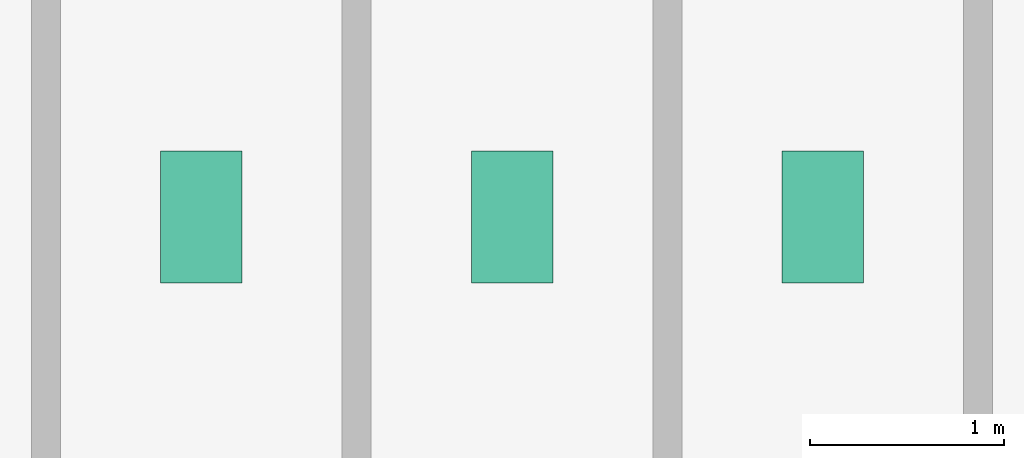
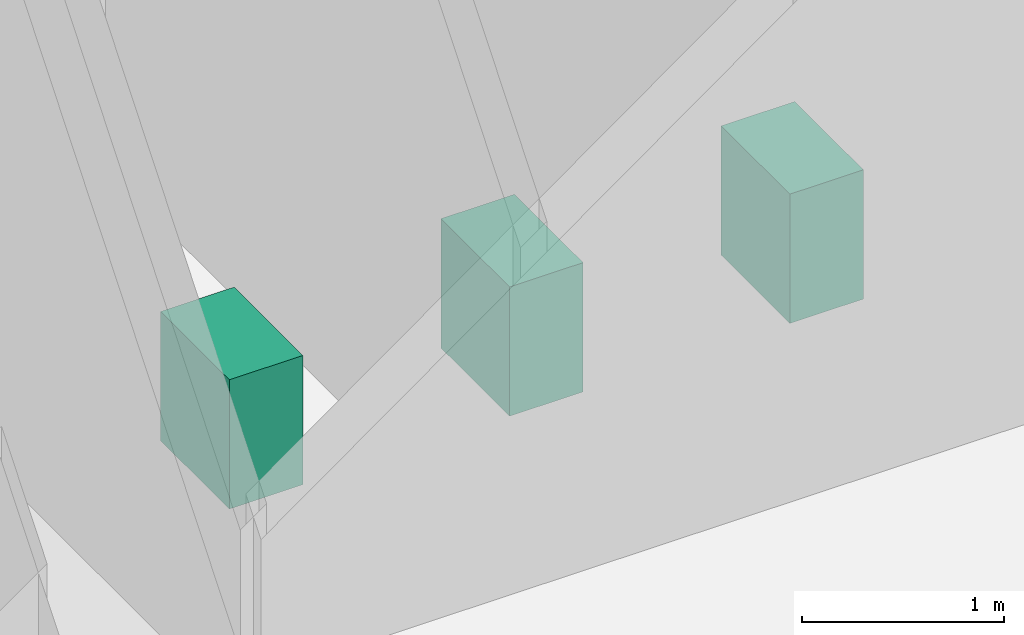
# One storey, part 26 of 26: 3 sanitary terminals.
"""IFC4 building model written with IfcOpenShell, lengths in metres."""

from ifc_helpers import new_model, si_unit, derived_unit, direction, frame, origin, origin_2d, place, context, subcontext, project, spatial, rectangle, extrude, source, transform, mapped, material, type_object, element, save


model = new_model("IFC4")

# Units and contexts
model_context = context("Model", 3, precision=1e-05, world=origin(), true_north=direction((0.0, 1.0)))
body_context = subcontext(model_context, "Body", "Model", "MODEL_VIEW")
ifc_project = project(units=[si_unit("LENGTHUNIT", "METRE"), si_unit("AREAUNIT", "SQUARE_METRE"), si_unit("VOLUMEUNIT", "CUBIC_METRE"), si_unit("PLANEANGLEUNIT", "RADIAN"), si_unit("MASSUNIT", "GRAM", prefix="KILO"), derived_unit("THERMALTRANSMITTANCEUNIT", [(si_unit("POWERUNIT", "WATT"), 1), (si_unit("LENGTHUNIT", "METRE"), -2), (si_unit("THERMODYNAMICTEMPERATUREUNIT", "KELVIN"), -1)])], contexts=[model_context])

# Site, building, storey
site_placement = place(None, origin())
site = spatial("IfcSite", under=ifc_project, at=site_placement, CompositionType="ELEMENT")
building_placement = place(site_placement, origin())
building = spatial("IfcBuilding", under=site, at=building_placement, Name="Skarnbrae Concourse Arena and Tower", CompositionType="ELEMENT")
storey_placement = place(building_placement, frame((0.0, 0.0, 92.300048828125)))
storey = spatial("IfcBuildingStorey", under=building, at=storey_placement, Name="L22", CompositionType="ELEMENT", Elevation=92.300048828125)

# Sanitary terminals
ifc_material = material(Name="Vitreous china sanitaryware", Category="other")
sanitary_terminal_type = type_object("IfcSanitaryTerminalType", Name="SAN-WC-VITREOUS", PredefinedType="TOILETPAN", material=ifc_material)
shared_shape = source(origin(), body_context, "Body", "SweptSolid", [
    extrude(rectangle(XDim=0.419921875, YDim=0.679931640625, at=origin_2d()), origin(), (0.0, 0.0, 1.0), 0.780029296875),
])
for number, where, z_axis, x_axis, name in (
    (1, (35.0, 11.39990234375, 0.0), (0.0, 0.0, 1.0), (1.0, 0.0, 0.0), "L22 Washroom WC fixture 1"),
    (2, (36.60009765625, 11.39990234375, 0.0), (0.0, 0.0, 1.0), (1.0, 0.0, 0.0), "L22 Washroom WC fixture 2"),
    (3, (38.199951171875, 11.39990234375, 0.0), (0.0, 0.0, 1.0), (1.0, 0.0, 0.0), "L22 Washroom WC fixture 3"),
):
    element("IfcSanitaryTerminal", number, at=place(storey_placement, frame(where, z_axis=z_axis, x_axis=x_axis)), inside=storey, type_object=sanitary_terminal_type, Name=name, PredefinedType="TOILETPAN", context=body_context, shape_type="MappedRepresentation", body=[
        mapped(shared_shape, transform((0.0, 0.0, 0.0))),
    ])

save(model, "model.ifc")
